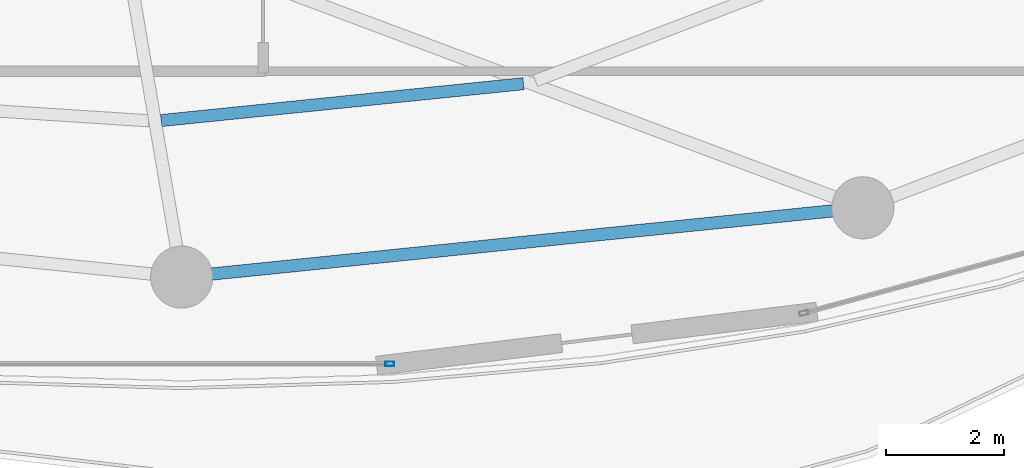
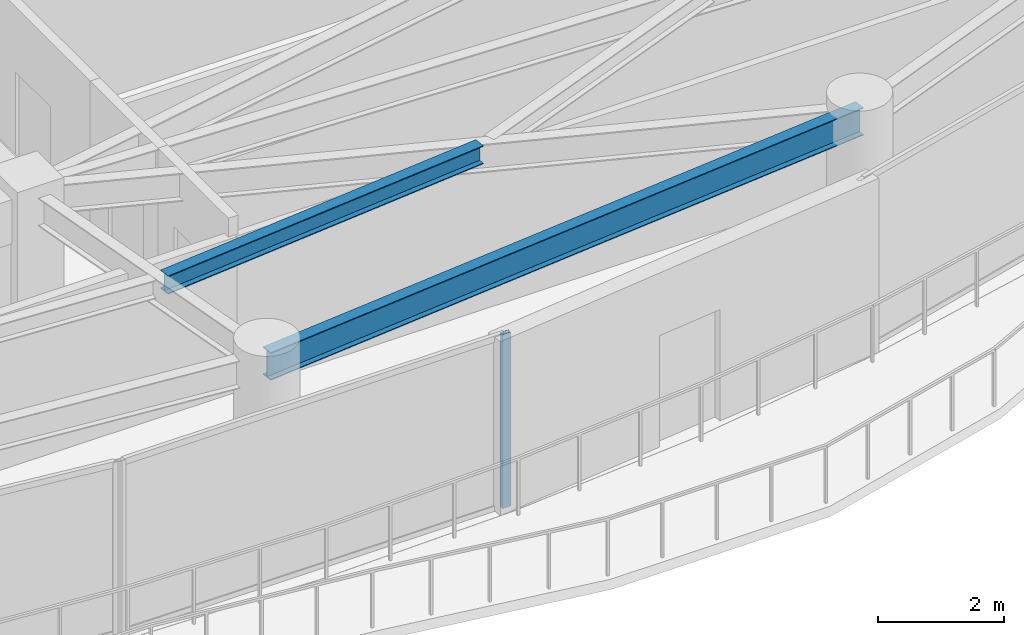
# One storey, part 9 of 29: 2 beams, 1 member, 1 element without a shape of its own.
"""IFC4 building model written with IfcOpenShell, lengths in metres."""

from ifc_helpers import new_model, si_unit, direction, frame, origin, origin_2d, place, context, subcontext, project, spatial, hollow_rectangle, i_section, extrude, material, layer, layer_set, material_profile, profile_set, type_object, element, aggregate, save


model = new_model("IFC4")

# Units and contexts
model_context = context("Model", 3, precision=1e-05, world=origin(), true_north=direction((0.0, 1.0)))
body_context = subcontext(model_context, "Body", "Model", "MODEL_VIEW")
ifc_project = project(units=[si_unit("LENGTHUNIT", "METRE"), si_unit("AREAUNIT", "SQUARE_METRE"), si_unit("VOLUMEUNIT", "CUBIC_METRE"), si_unit("PLANEANGLEUNIT", "RADIAN"), si_unit("MASSUNIT", "GRAM", prefix="KILO")], contexts=[model_context])

# Site, building, storey
site_placement = place(None, origin())
site = spatial("IfcSite", under=ifc_project, at=site_placement, CompositionType="ELEMENT")
building_placement = place(site_placement, origin())
building = spatial("IfcBuilding", under=site, at=building_placement, Name="Kazevale Care Tower and Concert Hall", CompositionType="ELEMENT")
storey_placement = place(building_placement, frame((0.0, 0.0, 199.199951171875)))
storey = spatial("IfcBuildingStorey", under=building, at=storey_placement, Name="L52", CompositionType="ELEMENT", Elevation=199.199951171875)

# Curtain wall, member
ifc_material_1 = material(Name="Aluminium 6063-T6 and Low-E Glass", Category="aluminium")
ifc_layer = layer(ifc_material_1, 0.179931640625)
ifc_layer_set = layer_set([ifc_layer], Name="Aluminium 6063-T6 and Low-E Glass")
curtain_wall_type = type_object("IfcCurtainWallType", Name="Sheltered Concave Balcony Curtain Wall CW-5", PredefinedType="NOTDEFINED", material=ifc_layer_set)
curtain_wall_placement = place(storey_placement, origin())
curtain_wall = element("IfcCurtainWall", 1, at=curtain_wall_placement, inside=storey, type_object=curtain_wall_type, Name="cw:L52:f06", PredefinedType="NOTDEFINED")
ifc_material_2 = material(Name="Aluminium 6063-T6", Category="aluminium")
ifc_material_profile_1 = material_profile(ifc_material_2, hollow_rectangle(XDim=0.074951171875, YDim=0.14990234375, WallThickness=0.00390625, at=origin_2d()), Name="ALU75x150x4")
ifc_profile_set_1 = profile_set([ifc_material_profile_1], Name="Aluminium 6063-T6")
member_type = type_object("IfcMemberType", Name="CW-5 Mullion ALU75x150x4", PredefinedType="MULLION", material=ifc_profile_set_1)
member_placement = place(storey_placement, frame((48.512451171875, 16.284912109375, 0.0), z_axis=(0.0, 0.0, 1.0), x_axis=(0.0, -1.0, 0.0)))
member = element("IfcMember", 2, at=member_placement, type_object=member_type, Name="CW-5 mullion 1", PredefinedType="MULLION", context=body_context, shape_type="SweptSolid", body=[
    extrude(hollow_rectangle(XDim=0.074951171875, YDim=0.14990234375, WallThickness=0.00390625, at=origin_2d()), origin(), (0.0, 0.0, 1.0), 3.360107421875),
])
aggregate(curtain_wall, [member])

# Beams
ifc_material_3 = material(Name="Steel ASTM A572 Gr 50", Category="steel")
ifc_material_profile_2 = material_profile(ifc_material_3, i_section(OverallWidth=0.205078125, OverallDepth=0.35400390625, WebThickness=0.009521484375, FlangeThickness=0.016845703125, at=origin_2d()), Name="W360x79")
ifc_profile_set_2 = profile_set([ifc_material_profile_2], Name="Steel ASTM A572 Gr 50")
beam_type_1 = type_object("IfcBeamType", Name="Secondary Floor Joist W360x79", PredefinedType="JOIST", material=ifc_profile_set_2)
beam_1_placement = place(storey_placement, frame((44.654052734375, 20.39306640625, 3.18310546875), z_axis=(0.994872697807, 0.10113513316, 0.0), x_axis=(-0.10113513316, 0.994872697807, 0.0)))
element("IfcBeam", 3, at=beam_1_placement, inside=storey, type_object=beam_type_1, Name="beam:L52:joist:13", PredefinedType="JOIST", context=body_context, shape_type="SweptSolid", body=[
    extrude(i_section(OverallWidth=0.205078125, OverallDepth=0.35400390625, WebThickness=0.009521484375, FlangeThickness=0.016845703125, at=origin_2d()), origin(), (0.0, 0.0, 1.0), 6.1484375),
])
ifc_material_profile_3 = material_profile(ifc_material_3, i_section(OverallWidth=0.208984375, OverallDepth=0.532958984375, WebThickness=0.01025390625, FlangeThickness=0.015625, at=origin_2d()), Name="W530x92")
ifc_profile_set_3 = profile_set([ifc_material_profile_3], Name="Steel ASTM A572 Gr 50")
beam_type_2 = type_object("IfcBeamType", Name="Upper Ring Beam W530x92", PredefinedType="BEAM", material=ifc_profile_set_3)
beam_2_placement = place(storey_placement, frame((45.0, 17.75, 3.093505859375), z_axis=(0.994865089307, 0.101209950492, 0.0), x_axis=(-0.101209950492, 0.994865089307, 0.0)))
element("IfcBeam", 4, at=beam_2_placement, inside=storey, type_object=beam_type_2, Name="beam:L52:ring:13", PredefinedType="BEAM", context=body_context, shape_type="SweptSolid", body=[
    extrude(i_section(OverallWidth=0.208984375, OverallDepth=0.532958984375, WebThickness=0.01025390625, FlangeThickness=0.015625, at=origin_2d()), origin(), (0.0, 0.0, 1.0), 11.559326171875),
])

save(model, "model.ifc")
